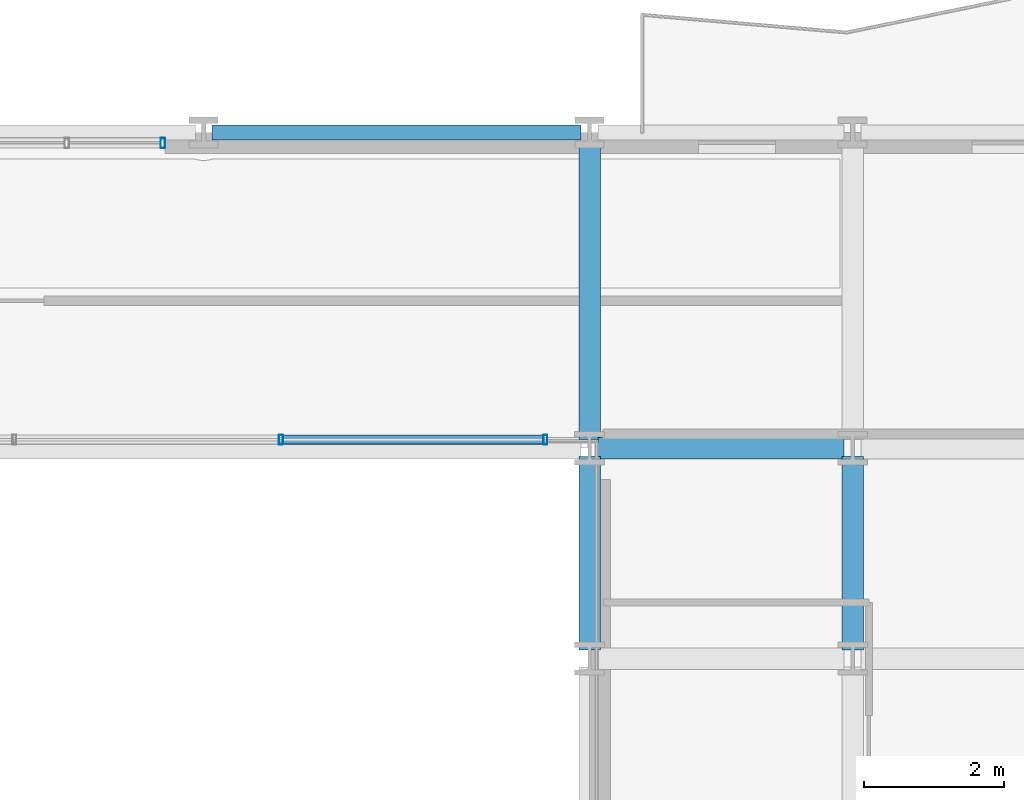
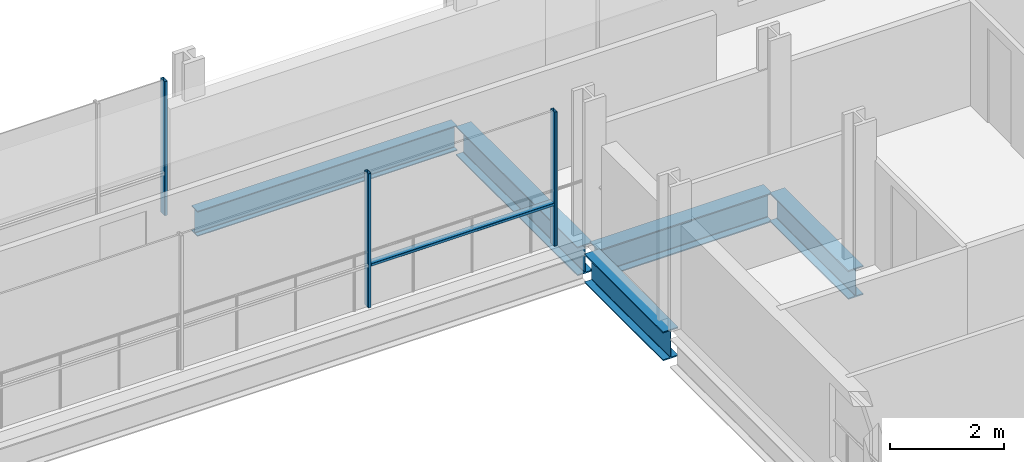
# One storey, part 17 of 39: 5 beams, 4 members, 2 elements without a shape of their own.
"""IFC4 building model written with IfcOpenShell, lengths in metres."""

from ifc_helpers import new_model, si_unit, direction, frame, origin, origin_2d, place, context, subcontext, project, spatial, hollow_rectangle, i_section, extrude, material, layer, layer_set, material_profile, profile_set, type_object, element, aggregate, save


model = new_model("IFC4")

# Units and contexts
model_context = context("Model", 3, precision=1e-05, world=origin(), true_north=direction((0.0, 1.0)))
body_context = subcontext(model_context, "Body", "Model", "MODEL_VIEW")
ifc_project = project(units=[si_unit("LENGTHUNIT", "METRE"), si_unit("AREAUNIT", "SQUARE_METRE"), si_unit("VOLUMEUNIT", "CUBIC_METRE"), si_unit("PLANEANGLEUNIT", "RADIAN"), si_unit("MASSUNIT", "GRAM", prefix="KILO")], contexts=[model_context])

# Site, building, storey
site_placement = place(None, origin())
site = spatial("IfcSite", under=ifc_project, at=site_placement, CompositionType="ELEMENT")
building_placement = place(site_placement, origin())
building = spatial("IfcBuilding", under=site, at=building_placement, Name="Brevholm Reach", CompositionType="ELEMENT")
storey_placement = place(building_placement, frame((0.0, 0.0, 34.199951171875)))
storey = spatial("IfcBuildingStorey", under=building, at=storey_placement, Name="L08", CompositionType="ELEMENT", Elevation=34.199951171875)

# Beams
ifc_material_1 = material(Name="Structural Steel S355J2", Category="steel")
ifc_material_profile_1 = material_profile(ifc_material_1, i_section(OverallWidth=0.210693359375, OverallDepth=0.53955078125, WebThickness=0.01171875, FlangeThickness=0.018798828125, FilletRadius=0.0126953125, at=origin_2d()), Name="UKB 533x210x109")
ifc_profile_set_1 = profile_set([ifc_material_profile_1], Name="Structural Steel S355J2")
beam_type_1 = type_object("IfcBeamType", Name="BM-SP539", PredefinedType="SPANDREL", material=ifc_profile_set_1)
beam_1_placement = place(storey_placement, frame((32.8701171875, 31.0, -0.499755859375), z_axis=(1.0, 0.0, 0.0), x_axis=(0.0, 1.0, 0.0)))
element("IfcBeam", 1, at=beam_1_placement, inside=storey, type_object=beam_type_1, Name="L08 SP-01B Framing Beam", PredefinedType="SPANDREL", context=body_context, shape_type="SweptSolid", body=[
    extrude(i_section(OverallWidth=0.210693359375, OverallDepth=0.53955078125, WebThickness=0.01171875, FlangeThickness=0.018798828125, FilletRadius=0.0126953125, at=origin_2d()), origin(), (0.0, 0.0, 1.0), 5.259765625),
])
ifc_material_2 = material(Name="Structural Steel S355J2", Category="steel")
ifc_material_profile_2 = material_profile(ifc_material_2, i_section(OverallWidth=0.30712890625, OverallDepth=0.6201171875, WebThickness=0.01416015625, FlangeThickness=0.023681640625, FilletRadius=0.0166015625, at=origin_2d()), Name="UKB 610x305x179")
ifc_profile_set_2 = profile_set([ifc_material_profile_2], Name="Structural Steel S355J2")
beam_type_2 = type_object("IfcBeamType", Name="BM-UKB610H", PredefinedType="USERDEFINED", material=ifc_profile_set_2)
beam_2_placement = place(storey_placement, frame((38.3701171875, 26.5, -0.5400390625), z_axis=(1.0, 0.0, 0.0), x_axis=(0.0, 1.0, 0.0)))
element("IfcBeam", 2, at=beam_2_placement, inside=storey, type_object=beam_type_2, Name="L08 G-06 Framing Beam", ObjectType="GIRDER", PredefinedType="USERDEFINED", context=body_context, shape_type="SweptSolid", body=[
    extrude(i_section(OverallWidth=0.30712890625, OverallDepth=0.6201171875, WebThickness=0.01416015625, FlangeThickness=0.023681640625, FilletRadius=0.0166015625, at=origin_2d()), origin(), (0.0, 0.0, 1.0), 3.509765625),
])
beam_3_placement = place(storey_placement, frame((38.25, 23.6201171875, -0.5400390625), z_axis=(0.0, 1.0, 0.0), x_axis=(-1.0, 0.0, 0.0)))
element("IfcBeam", 3, at=beam_3_placement, inside=storey, type_object=beam_type_2, Name="L08 G-06 Framing Beam", ObjectType="GIRDER", PredefinedType="USERDEFINED", context=body_context, shape_type="SweptSolid", body=[
    extrude(i_section(OverallWidth=0.30712890625, OverallDepth=0.6201171875, WebThickness=0.01416015625, FlangeThickness=0.023681640625, FilletRadius=0.0166015625, at=origin_2d()), origin(), (0.0, 0.0, 1.0), 2.759765625),
])
beam_4_placement = place(storey_placement, frame((38.25, 26.6201171875, -0.5400390625), z_axis=(0.0, 1.0, 0.0), x_axis=(-1.0, 0.0, 0.0)))
element("IfcBeam", 4, at=beam_4_placement, inside=storey, type_object=beam_type_2, Name="L08 G-06 Framing Beam", ObjectType="GIRDER", PredefinedType="USERDEFINED", context=body_context, shape_type="SweptSolid", body=[
    extrude(i_section(OverallWidth=0.30712890625, OverallDepth=0.6201171875, WebThickness=0.01416015625, FlangeThickness=0.023681640625, FilletRadius=0.0166015625, at=origin_2d()), origin(), (0.0, 0.0, 1.0), 4.259765625),
])
beam_5_placement = place(storey_placement, frame((42.0, 23.6201171875, -0.5400390625), z_axis=(0.0, 1.0, 0.0), x_axis=(-1.0, 0.0, 0.0)))
element("IfcBeam", 5, at=beam_5_placement, inside=storey, type_object=beam_type_2, Name="L08 G-06 Framing Beam", ObjectType="GIRDER", PredefinedType="USERDEFINED", context=body_context, shape_type="SweptSolid", body=[
    extrude(i_section(OverallWidth=0.30712890625, OverallDepth=0.6201171875, WebThickness=0.01416015625, FlangeThickness=0.023681640625, FilletRadius=0.0166015625, at=origin_2d()), origin(), (0.0, 0.0, 1.0), 2.759765625),
])

# Curtain wall, members
ifc_material_3 = material(Name="Dark Anodised Aluminium 6063-T6 and Solar-Control Glass", Category="aluminium")
ifc_layer_1 = layer(ifc_material_3, 0.139892578125)
ifc_layer_set_1 = layer_set([ifc_layer_1], Name="Dark Anodised Aluminium 6063-T6 and Solar-Control Glass")
curtain_wall_type_1 = type_object("IfcCurtainWallType", Name="CW-02", PredefinedType="NOTDEFINED", material=ifc_layer_set_1)
curtain_wall_1_placement = place(storey_placement, origin())
curtain_wall_1 = element("IfcCurtainWall", 6, at=curtain_wall_1_placement, inside=storey, type_object=curtain_wall_type_1, Name="L08 Curtain Wall CW-02", PredefinedType="NOTDEFINED")
ifc_material_4 = material(Name="Dark Anodised Aluminium 6063-T6", Category="aluminium")
ifc_material_profile_3 = material_profile(ifc_material_4, hollow_rectangle(XDim=0.06005859375, YDim=0.139892578125, WallThickness=0.0048828125, InnerFilletRadius=0.0048828125, OuterFilletRadius=0.010009765625, at=origin_2d()), Name="RHS 140x60x5")
ifc_profile_set_3 = profile_set([ifc_material_profile_3], Name="Dark Anodised Aluminium 6063-T6")
member_type_1 = type_object("IfcMemberType", Name="CWM-140", PredefinedType="MULLION", material=ifc_profile_set_3)
member_1_placement = place(storey_placement, frame((37.6201171875, 26.6201171875, 0.0), z_axis=(0.0, 0.0, 1.0), x_axis=(-1.0, 0.0, 0.0)))
member_1 = element("IfcMember", 7, at=member_1_placement, type_object=member_type_1, Name="CM-140 Mullion 1", PredefinedType="MULLION", context=body_context, shape_type="SweptSolid", body=[
    extrude(hollow_rectangle(XDim=0.06005859375, YDim=0.139892578125, WallThickness=0.0048828125, InnerFilletRadius=0.0048828125, OuterFilletRadius=0.010009765625, at=origin_2d()), origin(), (0.0, 0.0, 1.0), 2.8701171875),
])
member_2_placement = place(storey_placement, frame((33.85009765625, 26.6201171875, 0.0), z_axis=(0.0, 0.0, 1.0), x_axis=(-1.0, 0.0, 0.0)))
member_2 = element("IfcMember", 8, at=member_2_placement, type_object=member_type_1, Name="CM-140 Mullion 2", PredefinedType="MULLION", context=body_context, shape_type="SweptSolid", body=[
    extrude(hollow_rectangle(XDim=0.06005859375, YDim=0.139892578125, WallThickness=0.0048828125, InnerFilletRadius=0.0048828125, OuterFilletRadius=0.010009765625, at=origin_2d()), origin(), (0.0, 0.0, 1.0), 2.8701171875),
])

# Curtain wall, member
ifc_material_5 = material(Name="Dark Anodised Aluminium 6063-T6 and Solar-Control Glass", Category="aluminium")
ifc_layer_2 = layer(ifc_material_5, 0.14990234375)
ifc_layer_set_2 = layer_set([ifc_layer_2], Name="Dark Anodised Aluminium 6063-T6 and Solar-Control Glass")
curtain_wall_type_2 = type_object("IfcCurtainWallType", Name="CW-01", PredefinedType="NOTDEFINED", material=ifc_layer_set_2)
curtain_wall_2_placement = place(storey_placement, origin())
curtain_wall_2 = element("IfcCurtainWall", 9, at=curtain_wall_2_placement, inside=storey, type_object=curtain_wall_type_2, Name="L08 Curtain Wall CW-01", PredefinedType="NOTDEFINED")
ifc_material_6 = material(Name="Dark Anodised Aluminium 6063-T6", Category="aluminium")
ifc_material_profile_4 = material_profile(ifc_material_6, hollow_rectangle(XDim=0.06494140625, YDim=0.14990234375, WallThickness=0.0048828125, InnerFilletRadius=0.0048828125, OuterFilletRadius=0.010009765625, at=origin_2d()), Name="RHS 150x65x5")
ifc_profile_set_4 = profile_set([ifc_material_profile_4], Name="Dark Anodised Aluminium 6063-T6")
member_type_2 = type_object("IfcMemberType", Name="CWM-150", PredefinedType="MULLION", material=ifc_profile_set_4)
member_3_placement = place(storey_placement, frame((32.16748046875, 30.85009765625, 0.0), z_axis=(0.0, 0.0, 1.0), x_axis=(1.0, 0.0, 0.0)))
member_3 = element("IfcMember", 10, at=member_3_placement, type_object=member_type_2, Name="CM-150 Mullion 3", PredefinedType="MULLION", context=body_context, shape_type="SweptSolid", body=[
    extrude(hollow_rectangle(XDim=0.06494140625, YDim=0.14990234375, WallThickness=0.0048828125, InnerFilletRadius=0.0048828125, OuterFilletRadius=0.010009765625, at=origin_2d()), origin(), (0.0, 0.0, 1.0), 2.8701171875),
])
aggregate(curtain_wall_2, [member_3])

# Member
ifc_material_7 = material(Name="Dark Anodised Aluminium 6063-T6", Category="aluminium")
ifc_material_profile_5 = material_profile(ifc_material_7, hollow_rectangle(XDim=0.06005859375, YDim=0.139892578125, WallThickness=0.0048828125, InnerFilletRadius=0.0048828125, OuterFilletRadius=0.010009765625, at=origin_2d()), Name="RHS 140x60x5")
ifc_profile_set_5 = profile_set([ifc_material_profile_5], Name="Dark Anodised Aluminium 6063-T6")
member_type_3 = type_object("IfcMemberType", Name="CWT-140", PredefinedType="NOTDEFINED", material=ifc_profile_set_5)
member_4_placement = place(storey_placement, frame((37.590087890625, 26.6201171875, 0.900146484375), z_axis=(-1.0, 0.0, 0.0), x_axis=(0.0, 0.0, 1.0)))
member_4 = element("IfcMember", 11, at=member_4_placement, type_object=member_type_3, Name="CT-140 Transom 1.1", ObjectType="TRANSOM", PredefinedType="USERDEFINED", context=body_context, shape_type="SweptSolid", body=[
    extrude(hollow_rectangle(XDim=0.06005859375, YDim=0.139892578125, WallThickness=0.0048828125, InnerFilletRadius=0.0048828125, OuterFilletRadius=0.010009765625, at=origin_2d()), origin(), (0.0, 0.0, 1.0), 3.710205078125),
])

aggregate(curtain_wall_1, [member_1, member_2, member_4])

save(model, "model.ifc")
